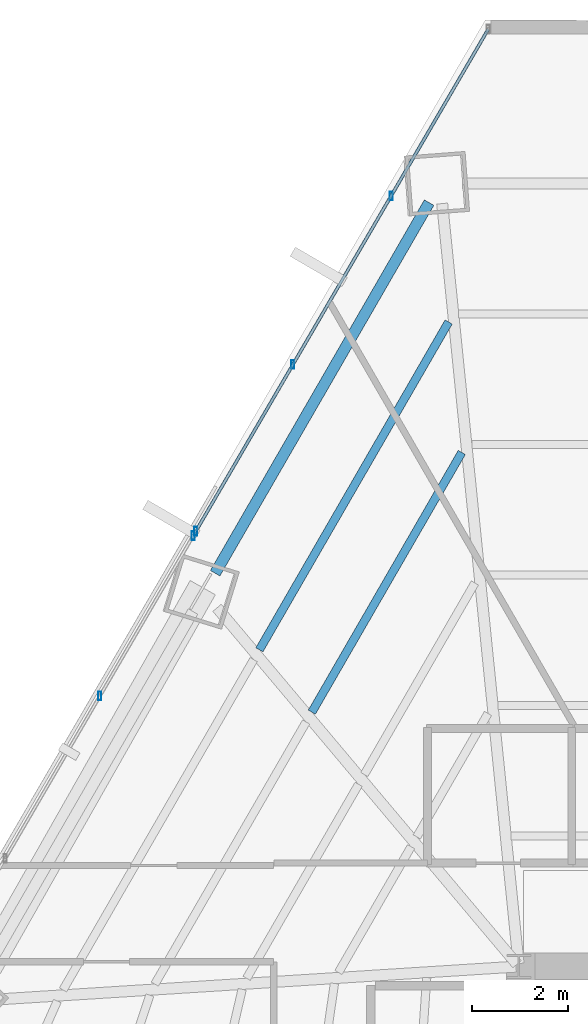
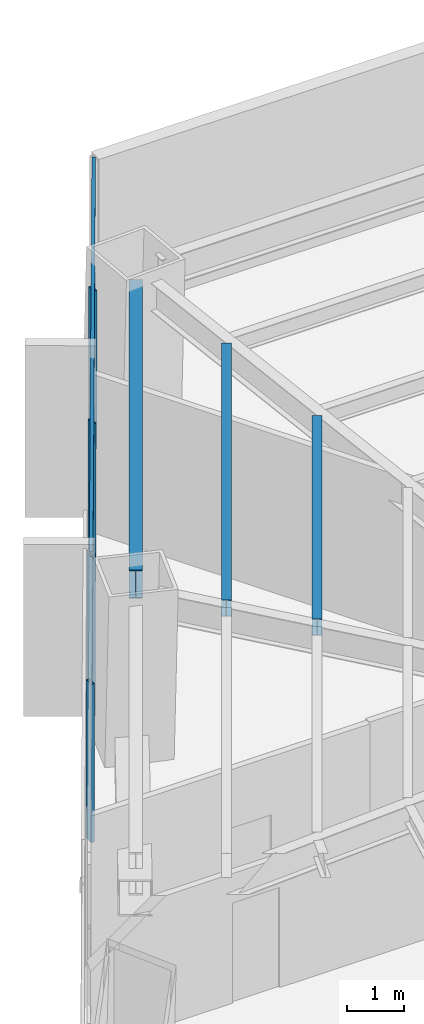
# One storey, part 18 of 29: 7 members, 3 beams, 2 elements without a shape of their own.
"""IFC4 building model written with IfcOpenShell, lengths in metres."""

from ifc_helpers import new_model, si_unit, direction, frame, origin, origin_2d, place, context, subcontext, project, spatial, hollow_rectangle, i_section, extrude, source, transform, mapped, material, material_profile, profile_set, type_object, type_shapes, element, aggregate, save


model = new_model("IFC4")

# Units and contexts
model_context = context("Model", 3, precision=1e-05, world=origin(), true_north=direction((0.0, 1.0)))
body_context = subcontext(model_context, "Body", "Model", "MODEL_VIEW")
ifc_project = project(units=[si_unit("LENGTHUNIT", "METRE"), si_unit("AREAUNIT", "SQUARE_METRE"), si_unit("VOLUMEUNIT", "CUBIC_METRE"), si_unit("PLANEANGLEUNIT", "RADIAN"), si_unit("MASSUNIT", "GRAM", prefix="KILO")], contexts=[model_context])

# Site, building, storey
site_placement = place(None, origin())
site = spatial("IfcSite", under=ifc_project, at=site_placement, CompositionType="ELEMENT")
building_placement = place(site_placement, origin())
building = spatial("IfcBuilding", under=site, at=building_placement, Name="Caelisora Broadcast Tower", CompositionType="ELEMENT")
storey_placement = place(building_placement, frame((0.0, 0.0, 31.25)))
storey = spatial("IfcBuildingStorey", under=building, at=storey_placement, Name="L07", CompositionType="ELEMENT", Elevation=31.25)

# Beams
ifc_material_1 = material(Name="Steel Grade 350 (AS/NZS 3679.1)", Category="steel")
ifc_material_profile_1 = material_profile(ifc_material_1, i_section(OverallWidth=0.22900390625, OverallDepth=0.611572265625, WebThickness=0.011962890625, FlangeThickness=0.01953125, at=origin_2d()), Name="Steel Grade 350 (AS/NZS 3679.1)")
ifc_profile_set_1 = profile_set([ifc_material_profile_1], Name="Steel Grade 350 (AS/NZS 3679.1)")
beam_type_1 = type_object("IfcBeamType", Name="PG03", PredefinedType="BEAM", material=ifc_profile_set_1)
shared_shape_1 = source(origin(), body_context, "Body", "SweptSolid", [
    extrude(i_section(OverallWidth=0.22900390625, OverallDepth=0.611572265625, WebThickness=0.011962890625, FlangeThickness=0.01953125, at=origin_2d()), origin(), (0.0, 0.0, 1.0), 8.900390625),
])
type_shapes(beam_type_1, [shared_shape_1])
beam_1_placement = place(storey_placement, frame((28.6328125, 45.886474609375, 3.09423828125), z_axis=(-0.49999788721, -0.866026623601, 0.0), x_axis=(0.866026623601, -0.49999788721, 0.0)))
element("IfcBeam", 1, at=beam_1_placement, inside=storey, type_object=beam_type_1, Name="L07 beam PG03", PredefinedType="BEAM", context=body_context, shape_type="MappedRepresentation", body=[
    mapped(shared_shape_1, transform((0.0, 0.0, 0.0), scale=1.0)),
])
ifc_material_profile_2 = material_profile(ifc_material_1, i_section(OverallWidth=0.172119140625, OverallDepth=0.358642578125, WebThickness=0.008056640625, FlangeThickness=0.012939453125, at=origin_2d()), Name="Steel Grade 350 (AS/NZS 3679.1)")
ifc_profile_set_2 = profile_set([ifc_material_profile_2], Name="Steel Grade 350 (AS/NZS 3679.1)")
beam_type_2 = type_object("IfcBeamType", Name="SB02", PredefinedType="JOIST", material=ifc_profile_set_2)
shared_shape_2 = source(origin(), body_context, "Body", "SweptSolid", [
    extrude(i_section(OverallWidth=0.172119140625, OverallDepth=0.358642578125, WebThickness=0.008056640625, FlangeThickness=0.012939453125, at=origin_2d()), origin(), (0.0, 0.0, 1.0), 6.236572265625),
])
beam_2_placement = place(storey_placement, frame((29.3125, 40.690185546875, 3.220703125), z_axis=(-0.500025171679, -0.866010870421, 0.0), x_axis=(0.866010870421, -0.500025171679, 0.0)))
element("IfcBeam", 2, at=beam_2_placement, inside=storey, type_object=beam_type_2, Name="L07 beam SB02", PredefinedType="JOIST", context=body_context, shape_type="MappedRepresentation", body=[
    mapped(shared_shape_2, transform((0.0, 0.0, 0.0), scale=1.0)),
])
shared_shape_3 = source(origin(), body_context, "Body", "SweptSolid", [
    extrude(i_section(OverallWidth=0.172119140625, OverallDepth=0.358642578125, WebThickness=0.008056640625, FlangeThickness=0.012939453125, at=origin_2d()), origin(), (0.0, 0.0, 1.0), 7.873046875),
])
type_shapes(beam_type_2, [shared_shape_2, shared_shape_3])
beam_3_placement = place(storey_placement, frame((29.03955078125, 43.404296875, 3.220703125), z_axis=(-0.49999445743, -0.866028603765, 0.0), x_axis=(0.866028603765, -0.49999445743, 0.0)))
element("IfcBeam", 3, at=beam_3_placement, inside=storey, type_object=beam_type_2, Name="L07 beam SB02", PredefinedType="JOIST", context=body_context, shape_type="MappedRepresentation", body=[
    mapped(shared_shape_3, transform((0.0, 0.0, 0.0), scale=1.0)),
])

# Curtain wall, members
ifc_material_2 = material(Name="Unitised Aluminium Insulated Shadow-Box Spandrel Curtain Wall", Category="aluminium")
curtain_wall_type_1 = type_object("IfcCurtainWallType", Name="CW-SP1", PredefinedType="NOTDEFINED", material=ifc_material_2)
curtain_wall_1_placement = place(storey_placement, origin())
curtain_wall_1 = element("IfcCurtainWall", 4, at=curtain_wall_1_placement, inside=storey, type_object=curtain_wall_type_1, Name="L07 curtain wall CW-SP1", PredefinedType="NOTDEFINED")
ifc_material_3 = material(Name="Aluminium 6063-T6 Anodised Terracotta Bronze", Category="aluminium")
ifc_material_profile_3 = material_profile(ifc_material_3, hollow_rectangle(XDim=0.06494140625, YDim=0.179931640625, WallThickness=0.00341796875, at=origin_2d()), Name="Aluminium 6063-T6 Anodised Terracotta Bronze")
ifc_profile_set_3 = profile_set([ifc_material_profile_3], Name="Aluminium 6063-T6 Anodised Terracotta Bronze")
member_type_1 = type_object("IfcMemberType", Name="CWM-02", PredefinedType="MULLION", material=ifc_profile_set_3)
shared_shape_4 = source(origin(), body_context, "Body", "SweptSolid", [
    extrude(hollow_rectangle(XDim=0.06494140625, YDim=0.179931640625, WallThickness=0.00341796875, at=origin_2d()), origin(), (0.0, 0.0, 1.0), 3.39990234375),
])
type_shapes(member_type_1, [shared_shape_4])
member_1_placement = place(storey_placement, frame((21.7841796875, 35.622314453125, 0.0), z_axis=(0.0, 0.0, 1.0), x_axis=(1.0, 0.0, 0.0)))
member_1 = element("IfcMember", 5, at=member_1_placement, type_object=member_type_1, Name="L07-CW-B10 mullion #2", PredefinedType="MULLION", context=body_context, shape_type="MappedRepresentation", body=[
    mapped(shared_shape_4, transform((0.0, 0.0, 0.0), scale=1.0)),
])
member_2_placement = place(storey_placement, frame((23.726318359375, 38.95703125, 0.0), z_axis=(0.0, 0.0, 1.0), x_axis=(1.0, 0.0, 0.0)))
member_2 = element("IfcMember", 6, at=member_2_placement, type_object=member_type_1, Name="L07-CW-B10 mullion #3", PredefinedType="MULLION", context=body_context, shape_type="MappedRepresentation", body=[
    mapped(shared_shape_4, transform((0.0, 0.0, 0.0), scale=1.0)),
])
aggregate(curtain_wall_1, [member_1, member_2])

ifc_material_4 = material(Name="Unitised Aluminium and Low-E Glass Curtain Wall", Category="glass")
curtain_wall_type_2 = type_object("IfcCurtainWallType", Name="CW-Z1", PredefinedType="NOTDEFINED", material=ifc_material_4)
curtain_wall_2_placement = place(storey_placement, origin())
curtain_wall_2 = element("IfcCurtainWall", 7, at=curtain_wall_2_placement, inside=storey, type_object=curtain_wall_type_2, Name="L07 curtain wall CW-Z1", PredefinedType="NOTDEFINED")
member_3_placement = place(storey_placement, frame((23.78173828125, 39.05224609375, 0.0), z_axis=(0.0, 0.0, 1.0), x_axis=(1.0, 0.0, 0.0)))
member_3 = element("IfcMember", 8, at=member_3_placement, type_object=member_type_1, Name="L07-CW-B11 mullion #0", PredefinedType="MULLION", context=body_context, shape_type="MappedRepresentation", body=[
    mapped(shared_shape_4, transform((0.0, 0.0, 0.0), scale=1.0)),
])
member_4_placement = place(storey_placement, frame((25.800048828125, 42.517578125, 0.0), z_axis=(0.0, 0.0, 1.0), x_axis=(1.0, 0.0, 0.0)))
member_4 = element("IfcMember", 9, at=member_4_placement, type_object=member_type_1, Name="L07-CW-B11 mullion #1", PredefinedType="MULLION", context=body_context, shape_type="MappedRepresentation", body=[
    mapped(shared_shape_4, transform((0.0, 0.0, 0.0), scale=1.0)),
])
member_5_placement = place(storey_placement, frame((27.843505859375, 46.0263671875, 0.0), z_axis=(0.0, 0.0, 1.0), x_axis=(1.0, 0.0, 0.0)))
member_5 = element("IfcMember", 10, at=member_5_placement, type_object=member_type_1, Name="L07-CW-B11 mullion #2", PredefinedType="MULLION", context=body_context, shape_type="MappedRepresentation", body=[
    mapped(shared_shape_4, transform((0.0, 0.0, 0.0), scale=1.0)),
])
ifc_material_profile_4 = material_profile(ifc_material_3, hollow_rectangle(XDim=0.06494140625, YDim=0.179931640625, WallThickness=0.00341796875, at=origin_2d()), Name="Aluminium 6063-T6 Anodised Terracotta Bronze")
ifc_profile_set_4 = profile_set([ifc_material_profile_4], Name="Aluminium 6063-T6 Anodised Terracotta Bronze")
member_type_2 = type_object("IfcMemberType", Name="CWT-01", PredefinedType="USERDEFINED", material=ifc_profile_set_4)
shared_shape_5 = source(origin(), body_context, "Body", "SweptSolid", [
    extrude(hollow_rectangle(XDim=0.06494140625, YDim=0.179931640625, WallThickness=0.00341796875, at=origin_2d()), origin(), (0.0, 0.0, 1.0), 12.0810546875),
])
type_shapes(member_type_2, [shared_shape_5])
member_6_placement = place(storey_placement, frame((23.78173828125, 39.05224609375, 0.85009765625), z_axis=(0.503277838562, 0.864124653747, 0.0), x_axis=(-0.864124653747, 0.503277838562, 0.0)))
member_6 = element("IfcMember", 11, at=member_6_placement, type_object=member_type_2, Name="L07-CW-B11 transom #1", ObjectType="TRANSOM", PredefinedType="USERDEFINED", context=body_context, shape_type="MappedRepresentation", body=[
    mapped(shared_shape_5, transform((0.0, 0.0, 0.0), scale=1.0)),
])
member_7_placement = place(storey_placement, frame((23.78173828125, 39.05224609375, 3.320068359375), z_axis=(0.503277838562, 0.864124653747, 0.0), x_axis=(-0.864124653747, 0.503277838562, 0.0)))
member_7 = element("IfcMember", 12, at=member_7_placement, type_object=member_type_2, Name="L07-CW-B11 transom #2", ObjectType="TRANSOM", PredefinedType="USERDEFINED", context=body_context, shape_type="MappedRepresentation", body=[
    mapped(shared_shape_5, transform((0.0, 0.0, 0.0), scale=1.0)),
])
aggregate(curtain_wall_2, [member_3, member_4, member_5, member_6, member_7])

save(model, "model.ifc")
